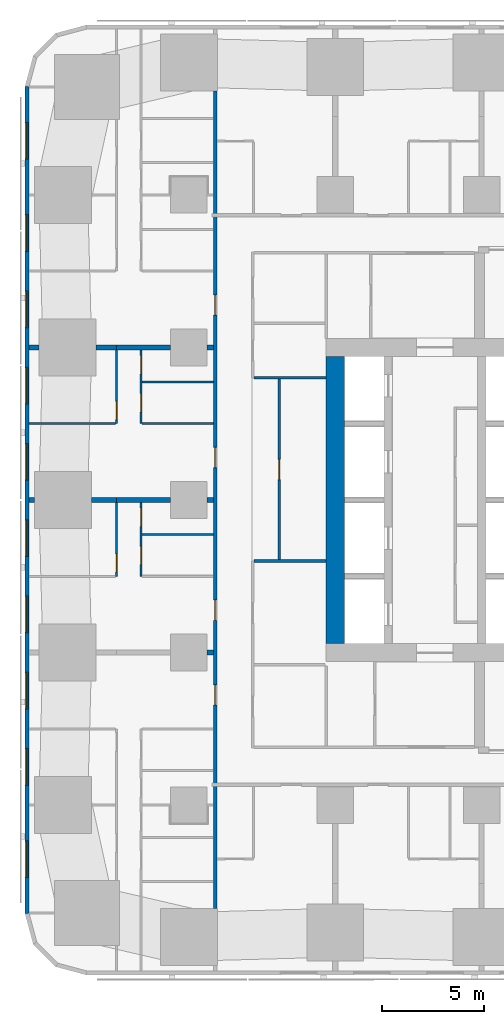
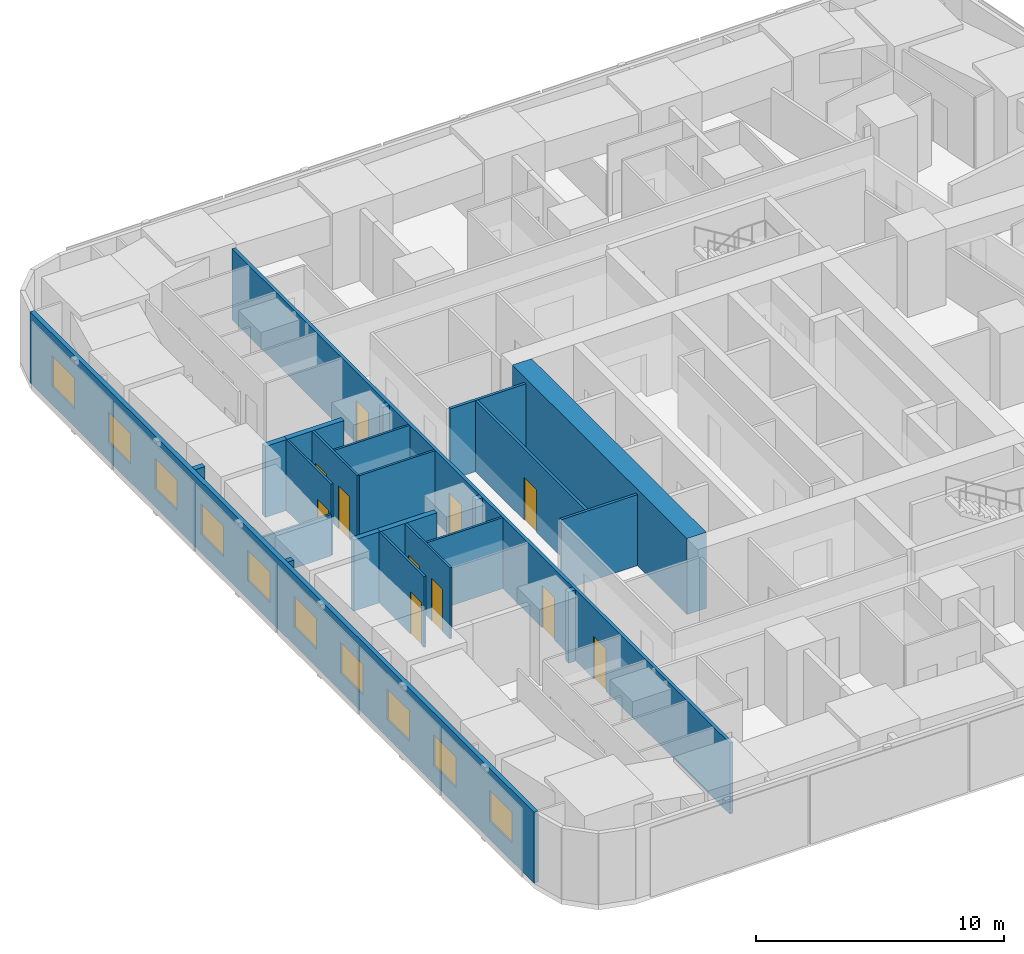
# One storey, part 4 of 15: 23 walls, 11 doors, 10 windows, 21 openings.
"""IFC4 building model written with IfcOpenShell, lengths in metres."""

from ifc_helpers import new_model, si_unit, direction, frame, frame_2d, origin, place, context, subcontext, project, spatial, rectangle, extrude, material, layer, layer_set, type_object, element, fill, save


model = new_model("IFC4")

# Units and contexts
model_context = context("Model", 3, precision=1e-05, world=origin(), true_north=direction((0.0, 1.0)))
body_context = subcontext(model_context, "Body", "Model", "MODEL_VIEW")
ifc_project = project(units=[si_unit("LENGTHUNIT", "METRE"), si_unit("AREAUNIT", "SQUARE_METRE"), si_unit("VOLUMEUNIT", "CUBIC_METRE"), si_unit("PLANEANGLEUNIT", "RADIAN"), si_unit("MASSUNIT", "GRAM", prefix="KILO")], contexts=[model_context])

# Site, building, storey
site_placement = place(None, origin())
site = spatial("IfcSite", under=ifc_project, at=site_placement, CompositionType="ELEMENT")
building_placement = place(site_placement, origin())
building = spatial("IfcBuilding", under=site, at=building_placement, Name="Sheger Commons Tower", CompositionType="ELEMENT")
storey_placement = place(building_placement, frame((0.0, 0.0, 46.25)))
storey = spatial("IfcBuildingStorey", under=building, at=storey_placement, Name="L11", CompositionType="ELEMENT", Elevation=46.25)

# Wall
ifc_material_1 = material(Name="Concrete C50/60", Category="concrete")
ifc_layer_1 = layer(ifc_material_1, 0.89990234375)
ifc_layer_set_1 = layer_set([ifc_layer_1], Name="CORE WALL 900")
wall_type_1 = type_object("IfcWallType", Name="CORE WALL 900", PredefinedType="SHEAR", material=ifc_layer_set_1)
wall_1_placement = place(storey_placement, frame((14.39990234375, 15.449951171875, 0.0), z_axis=(0.0, 0.0, 1.0), x_axis=(0.0, 1.0, 0.0)))
element("IfcWall", 1, at=wall_1_placement, inside=storey, type_object=wall_type_1, Name="Core wall west L11", PredefinedType="SHEAR", context=body_context, shape_type="SweptSolid", body=[
    extrude(rectangle(XDim=14.10009765625, YDim=0.89990234375, at=frame_2d((7.050048828125, 0.0))), origin(), (0.0, 0.0, 1.0), 3.75),
])

# Wall, openings, doors
ifc_material_2 = material(Name="Hollow concrete block masonry, skimmed both sides", Category="masonry")
ifc_layer_2 = layer(ifc_material_2, 0.14990234375)
ifc_layer_set_2 = layer_set([ifc_layer_2], Name="CORRIDOR WALL 150")
wall_type_2 = type_object("IfcWallType", Name="CORRIDOR WALL 150", PredefinedType="SOLIDWALL", material=ifc_layer_set_2)
wall_2_placement = place(storey_placement, frame((8.5, 2.426025390625, 0.0), z_axis=(0.0, 0.0, 1.0), x_axis=(0.0, 1.0, 0.0)))
wall_2 = element("IfcWall", 2, at=wall_2_placement, inside=storey, type_object=wall_type_2, Name="Corridor wall L11", PredefinedType="SOLIDWALL", context=body_context, shape_type="SweptSolid", body=[
    extrude(rectangle(XDim=40.173095703125, YDim=0.14990234375, at=frame_2d((20.08642578125, 0.0))), origin(), (0.0, 0.0, 1.0), 3.5),
])
opening_1_placement = place(wall_2_placement, frame((9.986083984375, 0.0, 0.0)))
opening_1 = element("IfcOpeningElement", 3, at=opening_1_placement, cuts=wall_2, Name="Opening D1", PredefinedType="OPENING", context=body_context, shape_type="SweptSolid", body=[
    extrude(rectangle(XDim=1.0, YDim=2.10009765625, at=frame_2d((0.5, 1.050048828125))), frame((0.0, 0.0849609375, 0.0), z_axis=(0.0, -1.0, 0.0), x_axis=(1.0, 0.0, 0.0)), (0.0, 0.0, 1.0), 0.169921875),
])
opening_2_placement = place(wall_2_placement, frame((14.160888671875, 0.0, 0.0)))
opening_2 = element("IfcOpeningElement", 4, at=opening_2_placement, cuts=wall_2, Name="Opening D1", PredefinedType="OPENING", context=body_context, shape_type="SweptSolid", body=[
    extrude(rectangle(XDim=1.0, YDim=2.10009765625, at=frame_2d((0.5, 1.050048828125))), frame((0.0, 0.0849609375, 0.0), z_axis=(0.0, -1.0, 0.0), x_axis=(1.0, 0.0, 0.0)), (0.0, 0.0, 1.0), 0.169921875),
])
opening_3_placement = place(wall_2_placement, frame((21.662109375, 0.0, 0.0)))
opening_3 = element("IfcOpeningElement", 5, at=opening_3_placement, cuts=wall_2, Name="Opening D1", PredefinedType="OPENING", context=body_context, shape_type="SweptSolid", body=[
    extrude(rectangle(XDim=1.0, YDim=2.10009765625, at=frame_2d((0.5, 1.050048828125))), frame((0.0, 0.0849609375, 0.0), z_axis=(0.0, -1.0, 0.0), x_axis=(1.0, 0.0, 0.0)), (0.0, 0.0, 1.0), 0.169921875),
])
opening_4_placement = place(wall_2_placement, frame((29.160888671875, 0.0, 0.0)))
opening_4 = element("IfcOpeningElement", 6, at=opening_4_placement, cuts=wall_2, Name="Opening D1", PredefinedType="OPENING", context=body_context, shape_type="SweptSolid", body=[
    extrude(rectangle(XDim=1.0, YDim=2.10009765625, at=frame_2d((0.5, 1.050048828125))), frame((0.0, 0.0849609375, 0.0), z_axis=(0.0, -1.0, 0.0), x_axis=(1.0, 0.0, 0.0)), (0.0, 0.0, 1.0), 0.169921875),
])
ifc_material_3 = material(Name="Steel door set, fire rated", Category="steel")
door_type_1 = type_object("IfcDoorType", Name="FLAT ENTRANCE DOOR 1000x2100", OperationType="NOTDEFINED", PredefinedType="DOOR", material=ifc_material_3)
door_1_placement = place(opening_1_placement, origin())
door_1 = element("IfcDoor", 7, at=door_1_placement, inside=storey, type_object=door_type_1, Name="Flat entrance door", OperationType="SINGLE_SWING_LEFT", OverallHeight=2.10009765625, OverallWidth=1.0, PredefinedType="DOOR", context=body_context, shape_type="SweptSolid", body=[
    extrude(rectangle(XDim=1.0, YDim=2.10009765625, at=frame_2d((0.5, 1.050048828125))), frame((0.0, 0.02490234375, 0.0), z_axis=(0.0, -1.0, 0.0), x_axis=(1.0, 0.0, 0.0)), (0.0, 0.0, 1.0), 0.050048828125),
])
fill(opening_1, door_1)
door_2_placement = place(opening_2_placement, origin())
door_2 = element("IfcDoor", 8, at=door_2_placement, inside=storey, type_object=door_type_1, Name="Flat entrance door", OperationType="SINGLE_SWING_RIGHT", OverallHeight=2.10009765625, OverallWidth=1.0, PredefinedType="DOOR", context=body_context, shape_type="SweptSolid", body=[
    extrude(rectangle(XDim=1.0, YDim=2.10009765625, at=frame_2d((0.5, 1.050048828125))), frame((0.0, 0.02490234375, 0.0), z_axis=(0.0, -1.0, 0.0), x_axis=(1.0, 0.0, 0.0)), (0.0, 0.0, 1.0), 0.050048828125),
])
fill(opening_2, door_2)
door_3_placement = place(opening_3_placement, origin())
door_3 = element("IfcDoor", 9, at=door_3_placement, inside=storey, type_object=door_type_1, Name="Flat entrance door", OperationType="SINGLE_SWING_RIGHT", OverallHeight=2.10009765625, OverallWidth=1.0, PredefinedType="DOOR", context=body_context, shape_type="SweptSolid", body=[
    extrude(rectangle(XDim=1.0, YDim=2.10009765625, at=frame_2d((0.5, 1.050048828125))), frame((0.0, 0.02490234375, 0.0), z_axis=(0.0, -1.0, 0.0), x_axis=(1.0, 0.0, 0.0)), (0.0, 0.0, 1.0), 0.050048828125),
])
fill(opening_3, door_3)
door_4_placement = place(opening_4_placement, origin())
door_4 = element("IfcDoor", 10, at=door_4_placement, inside=storey, type_object=door_type_1, Name="Flat entrance door", OperationType="SINGLE_SWING_RIGHT", OverallHeight=2.10009765625, OverallWidth=1.0, PredefinedType="DOOR", context=body_context, shape_type="SweptSolid", body=[
    extrude(rectangle(XDim=1.0, YDim=2.10009765625, at=frame_2d((0.5, 1.050048828125))), frame((0.0, 0.02490234375, 0.0), z_axis=(0.0, -1.0, 0.0), x_axis=(1.0, 0.0, 0.0)), (0.0, 0.0, 1.0), 0.050048828125),
])
fill(opening_4, door_4)

# Walls
ifc_material_4 = material(Name="Dense concrete block masonry, plastered both sides (separating wall between flats)", Category="masonry")
ifc_layer_3 = layer(ifc_material_4, 0.25)
ifc_layer_set_3 = layer_set([ifc_layer_3], Name="DEMISING WALL 250")
wall_type_3 = type_object("IfcWallType", Name="DEMISING WALL 250", PredefinedType="SOLIDWALL", material=ifc_layer_set_3)
wall_3_placement = place(storey_placement, frame((8.10107421875, 15.0, 0.0), z_axis=(0.0, 0.0, 1.0), x_axis=(1.0, 0.0, 0.0)))
element("IfcWall", 11, at=wall_3_placement, inside=storey, type_object=wall_type_3, Name="Demising wall L11", PredefinedType="SOLIDWALL", context=body_context, shape_type="SweptSolid", body=[
    extrude(rectangle(XDim=0.323974609375, YDim=0.25, at=frame_2d((0.162109375, 0.0))), origin(), (0.0, 0.0, 1.0), 3.5),
])
wall_4_placement = place(storey_placement, frame((-0.64990234375, 22.5, 0.0), z_axis=(0.0, 0.0, 1.0), x_axis=(1.0, 0.0, 0.0)))
element("IfcWall", 12, at=wall_4_placement, inside=storey, type_object=wall_type_3, Name="Demising wall L11", PredefinedType="SOLIDWALL", context=body_context, shape_type="SweptSolid", body=[
    extrude(rectangle(XDim=0.27392578125, YDim=0.25, at=frame_2d((0.136962890625, 0.0))), origin(), (0.0, 0.0, 1.0), 3.5),
])
wall_5_placement = place(storey_placement, frame((2.426025390625, 22.5, 0.0), z_axis=(0.0, 0.0, 1.0), x_axis=(1.0, 0.0, 0.0)))
element("IfcWall", 13, at=wall_5_placement, inside=storey, type_object=wall_type_3, Name="Demising wall L11", PredefinedType="SOLIDWALL", context=body_context, shape_type="SweptSolid", body=[
    extrude(rectangle(XDim=1.223876953125, YDim=0.25, at=frame_2d((0.61181640625, 0.0))), origin(), (0.0, 0.0, 1.0), 3.5),
])
wall_6_placement = place(storey_placement, frame((3.64990234375, 22.5, 0.0), z_axis=(0.0, 0.0, 1.0), x_axis=(1.0, 0.0, 0.0)))
element("IfcWall", 14, at=wall_6_placement, inside=storey, type_object=wall_type_3, Name="Demising wall L11", PredefinedType="SOLIDWALL", context=body_context, shape_type="SweptSolid", body=[
    extrude(rectangle(XDim=2.649169921875, YDim=0.25, at=frame_2d((1.32470703125, 0.0))), origin(), (0.0, 0.0, 1.0), 3.5),
])
wall_7_placement = place(storey_placement, frame((8.10107421875, 22.5, 0.0), z_axis=(0.0, 0.0, 1.0), x_axis=(1.0, 0.0, 0.0)))
element("IfcWall", 15, at=wall_7_placement, inside=storey, type_object=wall_type_3, Name="Demising wall L11", PredefinedType="SOLIDWALL", context=body_context, shape_type="SweptSolid", body=[
    extrude(rectangle(XDim=0.323974609375, YDim=0.25, at=frame_2d((0.162109375, 0.0))), origin(), (0.0, 0.0, 1.0), 3.5),
])
wall_8_placement = place(storey_placement, frame((-0.64990234375, 30.0, 0.0), z_axis=(0.0, 0.0, 1.0), x_axis=(1.0, 0.0, 0.0)))
element("IfcWall", 16, at=wall_8_placement, inside=storey, type_object=wall_type_3, Name="Demising wall L11", PredefinedType="SOLIDWALL", context=body_context, shape_type="SweptSolid", body=[
    extrude(rectangle(XDim=0.473876953125, YDim=0.25, at=frame_2d((0.23681640625, 0.0))), origin(), (0.0, 0.0, 1.0), 3.5),
])
wall_9_placement = place(storey_placement, frame((2.6259765625, 30.0, 0.0), z_axis=(0.0, 0.0, 1.0), x_axis=(1.0, 0.0, 0.0)))
element("IfcWall", 17, at=wall_9_placement, inside=storey, type_object=wall_type_3, Name="Demising wall L11", PredefinedType="SOLIDWALL", context=body_context, shape_type="SweptSolid", body=[
    extrude(rectangle(XDim=1.02392578125, YDim=0.25, at=frame_2d((0.511962890625, 0.0))), origin(), (0.0, 0.0, 1.0), 3.5),
])
wall_10_placement = place(storey_placement, frame((3.64990234375, 30.0, 0.0), z_axis=(0.0, 0.0, 1.0), x_axis=(1.0, 0.0, 0.0)))
element("IfcWall", 18, at=wall_10_placement, inside=storey, type_object=wall_type_3, Name="Demising wall L11", PredefinedType="SOLIDWALL", context=body_context, shape_type="SweptSolid", body=[
    extrude(rectangle(XDim=2.649169921875, YDim=0.25, at=frame_2d((1.32470703125, 0.0))), origin(), (0.0, 0.0, 1.0), 3.5),
])
wall_11_placement = place(storey_placement, frame((8.10107421875, 30.0, 0.0), z_axis=(0.0, 0.0, 1.0), x_axis=(1.0, 0.0, 0.0)))
element("IfcWall", 19, at=wall_11_placement, inside=storey, type_object=wall_type_3, Name="Demising wall L11", PredefinedType="SOLIDWALL", context=body_context, shape_type="SweptSolid", body=[
    extrude(rectangle(XDim=0.323974609375, YDim=0.25, at=frame_2d((0.162109375, 0.0))), origin(), (0.0, 0.0, 1.0), 3.5),
])

# Wall, openings, windows
ifc_material_5 = material(Name="Rendered concrete block masonry, dark grey", Category="masonry")
ifc_layer_4 = layer(ifc_material_5, 0.199951171875)
ifc_layer_set_4 = layer_set([ifc_layer_4], Name="FACADE WALL 200")
wall_type_4 = type_object("IfcWallType", Name="FACADE WALL 200", PredefinedType="SOLIDWALL", material=ifc_layer_set_4)
wall_12_placement = place(storey_placement, frame((-0.75, 42.8369140625, 0.0), z_axis=(0.0, 0.0, 1.0), x_axis=(0.0, -1.0, 0.0)))
wall_12 = element("IfcWall", 20, at=wall_12_placement, inside=storey, type_object=wall_type_4, Name="Facade wall L11", PredefinedType="SOLIDWALL", context=body_context, shape_type="SweptSolid", body=[
    extrude(rectangle(XDim=40.673828125, YDim=0.199951171875, at=frame_2d((20.3369140625, 0.0))), origin(), (0.0, 0.0, 1.0), 3.5),
])
opening_5_placement = place(wall_12_placement, frame((1.780029296875, 0.0, 0.89990234375)))
opening_5 = element("IfcOpeningElement", 21, at=opening_5_placement, cuts=wall_12, Name="Opening W2", PredefinedType="OPENING", context=body_context, shape_type="SweptSolid", body=[
    extrude(rectangle(XDim=1.800048828125, YDim=1.5, at=frame_2d((0.89990234375, 0.75))), frame((0.0, 0.10986328125, 0.0), z_axis=(0.0, -1.0, 0.0), x_axis=(1.0, 0.0, 0.0)), (0.0, 0.0, 1.0), 0.219970703125),
])
opening_6_placement = place(wall_12_placement, frame((6.31201171875, 0.0, 0.89990234375)))
opening_6 = element("IfcOpeningElement", 22, at=opening_6_placement, cuts=wall_12, Name="Opening W2", PredefinedType="OPENING", context=body_context, shape_type="SweptSolid", body=[
    extrude(rectangle(XDim=1.800048828125, YDim=1.5, at=frame_2d((0.89990234375, 0.75))), frame((0.0, 0.10986328125, 0.0), z_axis=(0.0, -1.0, 0.0), x_axis=(1.0, 0.0, 0.0)), (0.0, 0.0, 1.0), 0.219970703125),
])
opening_7_placement = place(wall_12_placement, frame((10.06201171875, 0.0, 0.89990234375)))
opening_7 = element("IfcOpeningElement", 23, at=opening_7_placement, cuts=wall_12, Name="Opening W2", PredefinedType="OPENING", context=body_context, shape_type="SweptSolid", body=[
    extrude(rectangle(XDim=1.800048828125, YDim=1.5, at=frame_2d((0.89990234375, 0.75))), frame((0.0, 0.10986328125, 0.0), z_axis=(0.0, -1.0, 0.0), x_axis=(1.0, 0.0, 0.0)), (0.0, 0.0, 1.0), 0.219970703125),
])
opening_8_placement = place(wall_12_placement, frame((13.81201171875, 0.0, 0.89990234375)))
opening_8 = element("IfcOpeningElement", 24, at=opening_8_placement, cuts=wall_12, Name="Opening W2", PredefinedType="OPENING", context=body_context, shape_type="SweptSolid", body=[
    extrude(rectangle(XDim=1.800048828125, YDim=1.5, at=frame_2d((0.89990234375, 0.75))), frame((0.0, 0.10986328125, 0.0), z_axis=(0.0, -1.0, 0.0), x_axis=(1.0, 0.0, 0.0)), (0.0, 0.0, 1.0), 0.219970703125),
])
opening_9_placement = place(wall_12_placement, frame((17.56201171875, 0.0, 0.89990234375)))
opening_9 = element("IfcOpeningElement", 25, at=opening_9_placement, cuts=wall_12, Name="Opening W2", PredefinedType="OPENING", context=body_context, shape_type="SweptSolid", body=[
    extrude(rectangle(XDim=1.800048828125, YDim=1.5, at=frame_2d((0.89990234375, 0.75))), frame((0.0, 0.10986328125, 0.0), z_axis=(0.0, -1.0, 0.0), x_axis=(1.0, 0.0, 0.0)), (0.0, 0.0, 1.0), 0.219970703125),
])
opening_10_placement = place(wall_12_placement, frame((21.31201171875, 0.0, 0.89990234375)))
opening_10 = element("IfcOpeningElement", 26, at=opening_10_placement, cuts=wall_12, Name="Opening W2", PredefinedType="OPENING", context=body_context, shape_type="SweptSolid", body=[
    extrude(rectangle(XDim=1.800048828125, YDim=1.5, at=frame_2d((0.89990234375, 0.75))), frame((0.0, 0.10986328125, 0.0), z_axis=(0.0, -1.0, 0.0), x_axis=(1.0, 0.0, 0.0)), (0.0, 0.0, 1.0), 0.219970703125),
])
opening_11_placement = place(wall_12_placement, frame((25.06201171875, 0.0, 0.89990234375)))
opening_11 = element("IfcOpeningElement", 27, at=opening_11_placement, cuts=wall_12, Name="Opening W2", PredefinedType="OPENING", context=body_context, shape_type="SweptSolid", body=[
    extrude(rectangle(XDim=1.800048828125, YDim=1.5, at=frame_2d((0.89990234375, 0.75))), frame((0.0, 0.10986328125, 0.0), z_axis=(0.0, -1.0, 0.0), x_axis=(1.0, 0.0, 0.0)), (0.0, 0.0, 1.0), 0.219970703125),
])
opening_12_placement = place(wall_12_placement, frame((28.81201171875, 0.0, 0.89990234375)))
opening_12 = element("IfcOpeningElement", 28, at=opening_12_placement, cuts=wall_12, Name="Opening W2", PredefinedType="OPENING", context=body_context, shape_type="SweptSolid", body=[
    extrude(rectangle(XDim=1.800048828125, YDim=1.5, at=frame_2d((0.89990234375, 0.75))), frame((0.0, 0.10986328125, 0.0), z_axis=(0.0, -1.0, 0.0), x_axis=(1.0, 0.0, 0.0)), (0.0, 0.0, 1.0), 0.219970703125),
])
opening_13_placement = place(wall_12_placement, frame((32.56201171875, 0.0, 0.89990234375)))
opening_13 = element("IfcOpeningElement", 29, at=opening_13_placement, cuts=wall_12, Name="Opening W2", PredefinedType="OPENING", context=body_context, shape_type="SweptSolid", body=[
    extrude(rectangle(XDim=1.800048828125, YDim=1.5, at=frame_2d((0.89990234375, 0.75))), frame((0.0, 0.10986328125, 0.0), z_axis=(0.0, -1.0, 0.0), x_axis=(1.0, 0.0, 0.0)), (0.0, 0.0, 1.0), 0.219970703125),
])
opening_14_placement = place(wall_12_placement, frame((37.093994140625, 0.0, 0.89990234375)))
opening_14 = element("IfcOpeningElement", 30, at=opening_14_placement, cuts=wall_12, Name="Opening W2", PredefinedType="OPENING", context=body_context, shape_type="SweptSolid", body=[
    extrude(rectangle(XDim=1.800048828125, YDim=1.5, at=frame_2d((0.89990234375, 0.75))), frame((0.0, 0.10986328125, 0.0), z_axis=(0.0, -1.0, 0.0), x_axis=(1.0, 0.0, 0.0)), (0.0, 0.0, 1.0), 0.219970703125),
])
ifc_material_6 = material(Name="Black aluminium frame, dark tinted double glazing", Category="aluminium")
window_type = type_object("IfcWindowType", Name="WINDOW W2 1800x1500", PartitioningType="SINGLE_PANEL", PredefinedType="WINDOW", material=ifc_material_6)
window_1_placement = place(opening_5_placement, origin())
window_1 = element("IfcWindow", 31, at=window_1_placement, inside=storey, type_object=window_type, Name="Window W2 1800X1500", OverallHeight=1.5, OverallWidth=1.800048828125, PartitioningType="SINGLE_PANEL", PredefinedType="WINDOW", context=body_context, shape_type="SweptSolid", body=[
    extrude(rectangle(XDim=1.800048828125, YDim=1.5, at=frame_2d((0.89990234375, 0.75))), frame((0.0, 0.030029296875, 0.0), z_axis=(0.0, -1.0, 0.0), x_axis=(1.0, 0.0, 0.0)), (0.0, 0.0, 1.0), 0.06005859375),
])
fill(opening_5, window_1)
window_2_placement = place(opening_6_placement, origin())
window_2 = element("IfcWindow", 32, at=window_2_placement, inside=storey, type_object=window_type, Name="Window W2 1800X1500", OverallHeight=1.5, OverallWidth=1.800048828125, PartitioningType="SINGLE_PANEL", PredefinedType="WINDOW", context=body_context, shape_type="SweptSolid", body=[
    extrude(rectangle(XDim=1.800048828125, YDim=1.5, at=frame_2d((0.89990234375, 0.75))), frame((0.0, 0.030029296875, 0.0), z_axis=(0.0, -1.0, 0.0), x_axis=(1.0, 0.0, 0.0)), (0.0, 0.0, 1.0), 0.06005859375),
])
fill(opening_6, window_2)
window_3_placement = place(opening_7_placement, origin())
window_3 = element("IfcWindow", 33, at=window_3_placement, inside=storey, type_object=window_type, Name="Window W2 1800X1500", OverallHeight=1.5, OverallWidth=1.800048828125, PartitioningType="SINGLE_PANEL", PredefinedType="WINDOW", context=body_context, shape_type="SweptSolid", body=[
    extrude(rectangle(XDim=1.800048828125, YDim=1.5, at=frame_2d((0.89990234375, 0.75))), frame((0.0, 0.030029296875, 0.0), z_axis=(0.0, -1.0, 0.0), x_axis=(1.0, 0.0, 0.0)), (0.0, 0.0, 1.0), 0.06005859375),
])
fill(opening_7, window_3)
window_4_placement = place(opening_8_placement, origin())
window_4 = element("IfcWindow", 34, at=window_4_placement, inside=storey, type_object=window_type, Name="Window W2 1800X1500", OverallHeight=1.5, OverallWidth=1.800048828125, PartitioningType="SINGLE_PANEL", PredefinedType="WINDOW", context=body_context, shape_type="SweptSolid", body=[
    extrude(rectangle(XDim=1.800048828125, YDim=1.5, at=frame_2d((0.89990234375, 0.75))), frame((0.0, 0.030029296875, 0.0), z_axis=(0.0, -1.0, 0.0), x_axis=(1.0, 0.0, 0.0)), (0.0, 0.0, 1.0), 0.06005859375),
])
fill(opening_8, window_4)
window_5_placement = place(opening_9_placement, origin())
window_5 = element("IfcWindow", 35, at=window_5_placement, inside=storey, type_object=window_type, Name="Window W2 1800X1500", OverallHeight=1.5, OverallWidth=1.800048828125, PartitioningType="SINGLE_PANEL", PredefinedType="WINDOW", context=body_context, shape_type="SweptSolid", body=[
    extrude(rectangle(XDim=1.800048828125, YDim=1.5, at=frame_2d((0.89990234375, 0.75))), frame((0.0, 0.030029296875, 0.0), z_axis=(0.0, -1.0, 0.0), x_axis=(1.0, 0.0, 0.0)), (0.0, 0.0, 1.0), 0.06005859375),
])
fill(opening_9, window_5)
window_6_placement = place(opening_10_placement, origin())
window_6 = element("IfcWindow", 36, at=window_6_placement, inside=storey, type_object=window_type, Name="Window W2 1800X1500", OverallHeight=1.5, OverallWidth=1.800048828125, PartitioningType="SINGLE_PANEL", PredefinedType="WINDOW", context=body_context, shape_type="SweptSolid", body=[
    extrude(rectangle(XDim=1.800048828125, YDim=1.5, at=frame_2d((0.89990234375, 0.75))), frame((0.0, 0.030029296875, 0.0), z_axis=(0.0, -1.0, 0.0), x_axis=(1.0, 0.0, 0.0)), (0.0, 0.0, 1.0), 0.06005859375),
])
fill(opening_10, window_6)
window_7_placement = place(opening_11_placement, origin())
window_7 = element("IfcWindow", 37, at=window_7_placement, inside=storey, type_object=window_type, Name="Window W2 1800X1500", OverallHeight=1.5, OverallWidth=1.800048828125, PartitioningType="SINGLE_PANEL", PredefinedType="WINDOW", context=body_context, shape_type="SweptSolid", body=[
    extrude(rectangle(XDim=1.800048828125, YDim=1.5, at=frame_2d((0.89990234375, 0.75))), frame((0.0, 0.030029296875, 0.0), z_axis=(0.0, -1.0, 0.0), x_axis=(1.0, 0.0, 0.0)), (0.0, 0.0, 1.0), 0.06005859375),
])
fill(opening_11, window_7)
window_8_placement = place(opening_12_placement, origin())
window_8 = element("IfcWindow", 38, at=window_8_placement, inside=storey, type_object=window_type, Name="Window W2 1800X1500", OverallHeight=1.5, OverallWidth=1.800048828125, PartitioningType="SINGLE_PANEL", PredefinedType="WINDOW", context=body_context, shape_type="SweptSolid", body=[
    extrude(rectangle(XDim=1.800048828125, YDim=1.5, at=frame_2d((0.89990234375, 0.75))), frame((0.0, 0.030029296875, 0.0), z_axis=(0.0, -1.0, 0.0), x_axis=(1.0, 0.0, 0.0)), (0.0, 0.0, 1.0), 0.06005859375),
])
fill(opening_12, window_8)
window_9_placement = place(opening_13_placement, origin())
window_9 = element("IfcWindow", 39, at=window_9_placement, inside=storey, type_object=window_type, Name="Window W2 1800X1500", OverallHeight=1.5, OverallWidth=1.800048828125, PartitioningType="SINGLE_PANEL", PredefinedType="WINDOW", context=body_context, shape_type="SweptSolid", body=[
    extrude(rectangle(XDim=1.800048828125, YDim=1.5, at=frame_2d((0.89990234375, 0.75))), frame((0.0, 0.030029296875, 0.0), z_axis=(0.0, -1.0, 0.0), x_axis=(1.0, 0.0, 0.0)), (0.0, 0.0, 1.0), 0.06005859375),
])
fill(opening_13, window_9)
window_10_placement = place(opening_14_placement, origin())
window_10 = element("IfcWindow", 40, at=window_10_placement, inside=storey, type_object=window_type, Name="Window W2 1800X1500", OverallHeight=1.5, OverallWidth=1.800048828125, PartitioningType="SINGLE_PANEL", PredefinedType="WINDOW", context=body_context, shape_type="SweptSolid", body=[
    extrude(rectangle(XDim=1.800048828125, YDim=1.5, at=frame_2d((0.89990234375, 0.75))), frame((0.0, 0.030029296875, 0.0), z_axis=(0.0, -1.0, 0.0), x_axis=(1.0, 0.0, 0.0)), (0.0, 0.0, 1.0), 0.06005859375),
])
fill(opening_14, window_10)

# Wall, opening, door
ifc_material_7 = material(Name="Gypsum board on steel studs", Category="steel")
ifc_layer_5 = layer(ifc_material_7, 0.10009765625)
ifc_layer_set_5 = layer_set([ifc_layer_5], Name="PARTITION 100")
wall_type_5 = type_object("IfcWallType", Name="PARTITION 100", PredefinedType="PARTITIONING", material=ifc_layer_set_5)
wall_13_placement = place(storey_placement, frame((3.64990234375, 18.75, 0.0), z_axis=(0.0, 0.0, 1.0), x_axis=(0.0, 1.0, 0.0)))
wall_13 = element("IfcWall", 41, at=wall_13_placement, inside=storey, type_object=wall_type_5, Name="Partition L11", PredefinedType="PARTITIONING", context=body_context, shape_type="SweptSolid", body=[
    extrude(rectangle(XDim=3.625, YDim=0.10009765625, at=frame_2d((1.8125, 0.0))), origin(), (0.0, 0.0, 1.0), 3.5),
])
opening_15_placement = place(wall_13_placement, frame((0.199951171875, 0.0, 0.0)))
opening_15 = element("IfcOpeningElement", 42, at=opening_15_placement, cuts=wall_13, Name="Opening D2", PredefinedType="OPENING", context=body_context, shape_type="SweptSolid", body=[
    extrude(rectangle(XDim=0.89990234375, YDim=2.10009765625, at=frame_2d((0.449951171875, 1.050048828125))), frame((0.0, 0.06005859375, 0.0), z_axis=(0.0, -1.0, 0.0), x_axis=(1.0, 0.0, 0.0)), (0.0, 0.0, 1.0), 0.1201171875),
])
ifc_material_8 = material(Name="Timber door set", Category="wood")
door_type_2 = type_object("IfcDoorType", Name="INTERNAL DOOR 900x2100", OperationType="NOTDEFINED", PredefinedType="DOOR", material=ifc_material_8)
door_5_placement = place(opening_15_placement, origin())
door_5 = element("IfcDoor", 43, at=door_5_placement, inside=storey, type_object=door_type_2, Name="Main bedroom door", OperationType="SINGLE_SWING_LEFT", OverallHeight=2.10009765625, OverallWidth=0.89990234375, PredefinedType="DOOR", context=body_context, shape_type="SweptSolid", body=[
    extrude(rectangle(XDim=0.89990234375, YDim=2.10009765625, at=frame_2d((0.449951171875, 1.050048828125))), frame((0.0, 0.02490234375, 0.0), z_axis=(0.0, -1.0, 0.0), x_axis=(1.0, 0.0, 0.0)), (0.0, 0.0, 1.0), 0.050048828125),
])
fill(opening_15, door_5)

# Wall, openings, doors
wall_14_placement = place(storey_placement, frame((4.85009765625, 18.75, 0.0), z_axis=(0.0, 0.0, 1.0), x_axis=(0.0, 1.0, 0.0)))
wall_14 = element("IfcWall", 44, at=wall_14_placement, inside=storey, type_object=wall_type_5, Name="Partition L11", PredefinedType="PARTITIONING", context=body_context, shape_type="SweptSolid", body=[
    extrude(rectangle(XDim=3.625, YDim=0.10009765625, at=frame_2d((1.8125, 0.0))), origin(), (0.0, 0.0, 1.0), 3.5),
])
opening_16_placement = place(wall_14_placement, frame((0.574951171875, 0.0, 0.0)))
opening_16 = element("IfcOpeningElement", 45, at=opening_16_placement, cuts=wall_14, Name="Opening D2", PredefinedType="OPENING", context=body_context, shape_type="SweptSolid", body=[
    extrude(rectangle(XDim=0.89990234375, YDim=2.10009765625, at=frame_2d((0.449951171875, 1.050048828125))), frame((0.0, 0.06005859375, 0.0), z_axis=(0.0, -1.0, 0.0), x_axis=(1.0, 0.0, 0.0)), (0.0, 0.0, 1.0), 0.1201171875),
])
opening_17_placement = place(wall_14_placement, frame((2.449951171875, 0.0, 0.0)))
opening_17 = element("IfcOpeningElement", 46, at=opening_17_placement, cuts=wall_14, Name="Opening D2", PredefinedType="OPENING", context=body_context, shape_type="SweptSolid", body=[
    extrude(rectangle(XDim=0.89990234375, YDim=2.10009765625, at=frame_2d((0.449951171875, 1.050048828125))), frame((0.0, 0.06005859375, 0.0), z_axis=(0.0, -1.0, 0.0), x_axis=(1.0, 0.0, 0.0)), (0.0, 0.0, 1.0), 0.1201171875),
])
door_6_placement = place(opening_16_placement, origin())
door_6 = element("IfcDoor", 47, at=door_6_placement, inside=storey, type_object=door_type_2, Name="Bathroom door", OperationType="SINGLE_SWING_RIGHT", OverallHeight=2.10009765625, OverallWidth=0.89990234375, PredefinedType="DOOR", context=body_context, shape_type="SweptSolid", body=[
    extrude(rectangle(XDim=0.89990234375, YDim=2.10009765625, at=frame_2d((0.449951171875, 1.050048828125))), frame((0.0, 0.02490234375, 0.0), z_axis=(0.0, -1.0, 0.0), x_axis=(1.0, 0.0, 0.0)), (0.0, 0.0, 1.0), 0.050048828125),
])
fill(opening_16, door_6)
door_7_placement = place(opening_17_placement, origin())
door_7 = element("IfcDoor", 48, at=door_7_placement, inside=storey, type_object=door_type_2, Name="Store door", OperationType="SINGLE_SWING_LEFT", OverallHeight=2.10009765625, OverallWidth=0.89990234375, PredefinedType="DOOR", context=body_context, shape_type="SweptSolid", body=[
    extrude(rectangle(XDim=0.89990234375, YDim=2.10009765625, at=frame_2d((0.449951171875, 1.050048828125))), frame((0.0, 0.02490234375, 0.0), z_axis=(0.0, -1.0, 0.0), x_axis=(1.0, 0.0, 0.0)), (0.0, 0.0, 1.0), 0.050048828125),
])
fill(opening_17, door_7)

# Wall
wall_15_placement = place(storey_placement, frame((4.89990234375, 20.800048828125, 0.0), z_axis=(0.0, 0.0, 1.0), x_axis=(1.0, 0.0, 0.0)))
element("IfcWall", 49, at=wall_15_placement, inside=storey, type_object=wall_type_5, Name="Partition L11", PredefinedType="PARTITIONING", context=body_context, shape_type="SweptSolid", body=[
    extrude(rectangle(XDim=3.525146484375, YDim=0.10009765625, at=frame_2d((1.7626953125, 0.0))), origin(), (0.0, 0.0, 1.0), 3.5),
])

# Wall, opening, door
wall_16_placement = place(storey_placement, frame((3.64990234375, 26.25, 0.0), z_axis=(0.0, 0.0, 1.0), x_axis=(0.0, 1.0, 0.0)))
wall_16 = element("IfcWall", 50, at=wall_16_placement, inside=storey, type_object=wall_type_5, Name="Partition L11", PredefinedType="PARTITIONING", context=body_context, shape_type="SweptSolid", body=[
    extrude(rectangle(XDim=3.625, YDim=0.10009765625, at=frame_2d((1.8125, 0.0))), origin(), (0.0, 0.0, 1.0), 3.5),
])
opening_18_placement = place(wall_16_placement, frame((0.199951171875, 0.0, 0.0)))
opening_18 = element("IfcOpeningElement", 51, at=opening_18_placement, cuts=wall_16, Name="Opening D2", PredefinedType="OPENING", context=body_context, shape_type="SweptSolid", body=[
    extrude(rectangle(XDim=0.89990234375, YDim=2.10009765625, at=frame_2d((0.449951171875, 1.050048828125))), frame((0.0, 0.06005859375, 0.0), z_axis=(0.0, -1.0, 0.0), x_axis=(1.0, 0.0, 0.0)), (0.0, 0.0, 1.0), 0.1201171875),
])
door_8_placement = place(opening_18_placement, origin())
door_8 = element("IfcDoor", 52, at=door_8_placement, inside=storey, type_object=door_type_2, Name="Main bedroom door", OperationType="SINGLE_SWING_LEFT", OverallHeight=2.10009765625, OverallWidth=0.89990234375, PredefinedType="DOOR", context=body_context, shape_type="SweptSolid", body=[
    extrude(rectangle(XDim=0.89990234375, YDim=2.10009765625, at=frame_2d((0.449951171875, 1.050048828125))), frame((0.0, 0.02490234375, 0.0), z_axis=(0.0, -1.0, 0.0), x_axis=(1.0, 0.0, 0.0)), (0.0, 0.0, 1.0), 0.050048828125),
])
fill(opening_18, door_8)

# Wall, openings, doors
wall_17_placement = place(storey_placement, frame((4.85009765625, 26.25, 0.0), z_axis=(0.0, 0.0, 1.0), x_axis=(0.0, 1.0, 0.0)))
wall_17 = element("IfcWall", 53, at=wall_17_placement, inside=storey, type_object=wall_type_5, Name="Partition L11", PredefinedType="PARTITIONING", context=body_context, shape_type="SweptSolid", body=[
    extrude(rectangle(XDim=3.625, YDim=0.10009765625, at=frame_2d((1.8125, 0.0))), origin(), (0.0, 0.0, 1.0), 3.5),
])
opening_19_placement = place(wall_17_placement, frame((0.574951171875, 0.0, 0.0)))
opening_19 = element("IfcOpeningElement", 54, at=opening_19_placement, cuts=wall_17, Name="Opening D2", PredefinedType="OPENING", context=body_context, shape_type="SweptSolid", body=[
    extrude(rectangle(XDim=0.89990234375, YDim=2.10009765625, at=frame_2d((0.449951171875, 1.050048828125))), frame((0.0, 0.06005859375, 0.0), z_axis=(0.0, -1.0, 0.0), x_axis=(1.0, 0.0, 0.0)), (0.0, 0.0, 1.0), 0.1201171875),
])
opening_20_placement = place(wall_17_placement, frame((2.449951171875, 0.0, 0.0)))
opening_20 = element("IfcOpeningElement", 55, at=opening_20_placement, cuts=wall_17, Name="Opening D2", PredefinedType="OPENING", context=body_context, shape_type="SweptSolid", body=[
    extrude(rectangle(XDim=0.89990234375, YDim=2.10009765625, at=frame_2d((0.449951171875, 1.050048828125))), frame((0.0, 0.06005859375, 0.0), z_axis=(0.0, -1.0, 0.0), x_axis=(1.0, 0.0, 0.0)), (0.0, 0.0, 1.0), 0.1201171875),
])
door_9_placement = place(opening_19_placement, origin())
door_9 = element("IfcDoor", 56, at=door_9_placement, inside=storey, type_object=door_type_2, Name="Bathroom door", OperationType="SINGLE_SWING_RIGHT", OverallHeight=2.10009765625, OverallWidth=0.89990234375, PredefinedType="DOOR", context=body_context, shape_type="SweptSolid", body=[
    extrude(rectangle(XDim=0.89990234375, YDim=2.10009765625, at=frame_2d((0.449951171875, 1.050048828125))), frame((0.0, 0.02490234375, 0.0), z_axis=(0.0, -1.0, 0.0), x_axis=(1.0, 0.0, 0.0)), (0.0, 0.0, 1.0), 0.050048828125),
])
fill(opening_19, door_9)
door_10_placement = place(opening_20_placement, origin())
door_10 = element("IfcDoor", 57, at=door_10_placement, inside=storey, type_object=door_type_2, Name="Store door", OperationType="SINGLE_SWING_LEFT", OverallHeight=2.10009765625, OverallWidth=0.89990234375, PredefinedType="DOOR", context=body_context, shape_type="SweptSolid", body=[
    extrude(rectangle(XDim=0.89990234375, YDim=2.10009765625, at=frame_2d((0.449951171875, 1.050048828125))), frame((0.0, 0.02490234375, 0.0), z_axis=(0.0, -1.0, 0.0), x_axis=(1.0, 0.0, 0.0)), (0.0, 0.0, 1.0), 0.050048828125),
])
fill(opening_20, door_10)

# Walls
wall_18_placement = place(storey_placement, frame((-0.64990234375, 26.25, 0.0), z_axis=(0.0, 0.0, 1.0), x_axis=(1.0, 0.0, 0.0)))
element("IfcWall", 58, at=wall_18_placement, inside=storey, type_object=wall_type_5, Name="Partition L11", PredefinedType="PARTITIONING", context=body_context, shape_type="SweptSolid", body=[
    extrude(rectangle(XDim=4.25, YDim=0.10009765625, at=frame_2d((2.125, 0.0))), origin(), (0.0, 0.0, 1.0), 2.050048828125),
])
for number, where, z_axis, x_axis, name in (
    (59, (4.89990234375, 26.25, 0.0), (0.0, 0.0, 1.0), (1.0, 0.0, 0.0), "Partition L11"),
    (60, (4.89990234375, 28.300048828125, 0.0), (0.0, 0.0, 1.0), (1.0, 0.0, 0.0), "Partition L11"),
):
    element("IfcWall", number, at=place(storey_placement, frame(where, z_axis=z_axis, x_axis=x_axis)), inside=storey, type_object=wall_type_5, Name=name, PredefinedType="PARTITIONING", context=body_context, shape_type="SweptSolid", body=[
        extrude(rectangle(XDim=3.525146484375, YDim=0.10009765625, at=frame_2d((1.7626953125, 0.0))), origin(), (0.0, 0.0, 1.0), 3.5),
    ])

# Wall, opening, door
ifc_material_9 = material(Name="Gypsum board on steel studs, two layers each side, fire rated", Category="steel")
ifc_layer_6 = layer(ifc_material_9, 0.125)
ifc_layer_set_6 = layer_set([ifc_layer_6], Name="SERVICE WALL 125")
wall_type_6 = type_object("IfcWallType", Name="SERVICE WALL 125", PredefinedType="PARTITIONING", material=ifc_layer_set_6)
wall_19_placement = place(storey_placement, frame((11.64990234375, 19.56201171875, 0.0), z_axis=(0.0, 0.0, 1.0), x_axis=(0.0, 1.0, 0.0)))
wall_19 = element("IfcWall", 61, at=wall_19_placement, inside=storey, type_object=wall_type_6, Name="Service room wall L11", PredefinedType="PARTITIONING", context=body_context, shape_type="SweptSolid", body=[
    extrude(rectangle(XDim=8.8759765625, YDim=0.125, at=frame_2d((4.43798828125, 0.0))), origin(), (0.0, 0.0, 1.0), 3.5),
])
opening_21_placement = place(wall_19_placement, frame((3.93798828125, 0.0, 0.0)))
opening_21 = element("IfcOpeningElement", 62, at=opening_21_placement, cuts=wall_19, Name="Opening D4", PredefinedType="OPENING", context=body_context, shape_type="SweptSolid", body=[
    extrude(rectangle(XDim=1.0, YDim=2.10009765625, at=frame_2d((0.5, 1.050048828125))), frame((0.0, 0.072509765625, 0.0), z_axis=(0.0, -1.0, 0.0), x_axis=(1.0, 0.0, 0.0)), (0.0, 0.0, 1.0), 0.14501953125),
])
ifc_material_10 = material(Name="Steel door set, fire rated", Category="steel")
door_type_3 = type_object("IfcDoorType", Name="SERVICE DOOR 1000x2100", OperationType="NOTDEFINED", PredefinedType="DOOR", material=ifc_material_10)
door_11_placement = place(opening_21_placement, origin())
door_11 = element("IfcDoor", 63, at=door_11_placement, inside=storey, type_object=door_type_3, Name="Residents' hobby room door", OperationType="SINGLE_SWING_RIGHT", OverallHeight=2.10009765625, OverallWidth=1.0, PredefinedType="DOOR", context=body_context, shape_type="SweptSolid", body=[
    extrude(rectangle(XDim=1.0, YDim=2.10009765625, at=frame_2d((0.5, 1.050048828125))), frame((0.0, 0.02490234375, 0.0), z_axis=(0.0, -1.0, 0.0), x_axis=(1.0, 0.0, 0.0)), (0.0, 0.0, 1.0), 0.050048828125),
])
fill(opening_21, door_11)

# Walls
for number, where, z_axis, x_axis, name in (
    (64, (10.4130859375, 19.5, 0.0), (0.0, 0.0, 1.0), (1.0, 0.0, 0.0), "Service room wall L11"),
    (65, (10.4130859375, 28.5, 0.0), (0.0, 0.0, 1.0), (1.0, 0.0, 0.0), "Service room wall L11"),
):
    element("IfcWall", number, at=place(storey_placement, frame(where, z_axis=z_axis, x_axis=x_axis)), inside=storey, type_object=wall_type_6, Name=name, PredefinedType="PARTITIONING", context=body_context, shape_type="SweptSolid", body=[
        extrude(rectangle(XDim=3.536865234375, YDim=0.125, at=frame_2d((1.7685546875, 0.0))), origin(), (0.0, 0.0, 1.0), 3.5),
    ])

save(model, "model.ifc")
